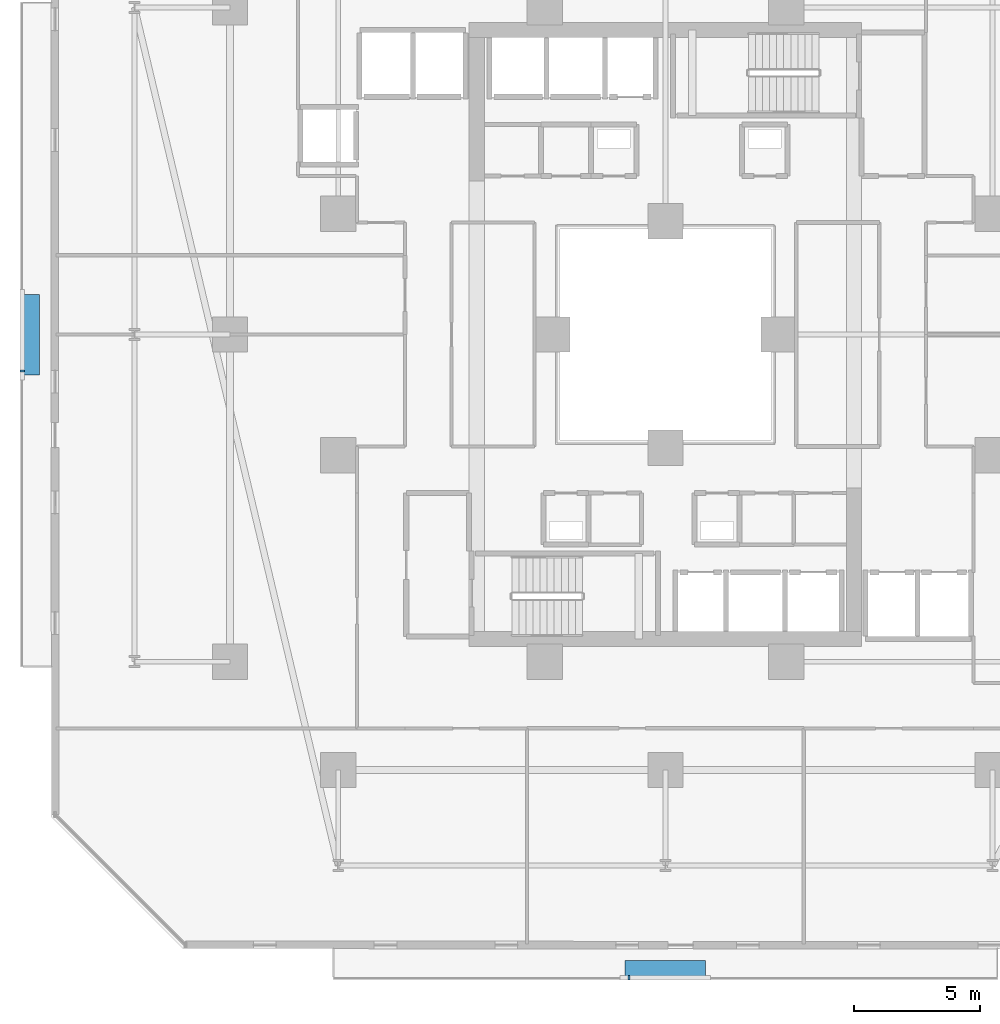
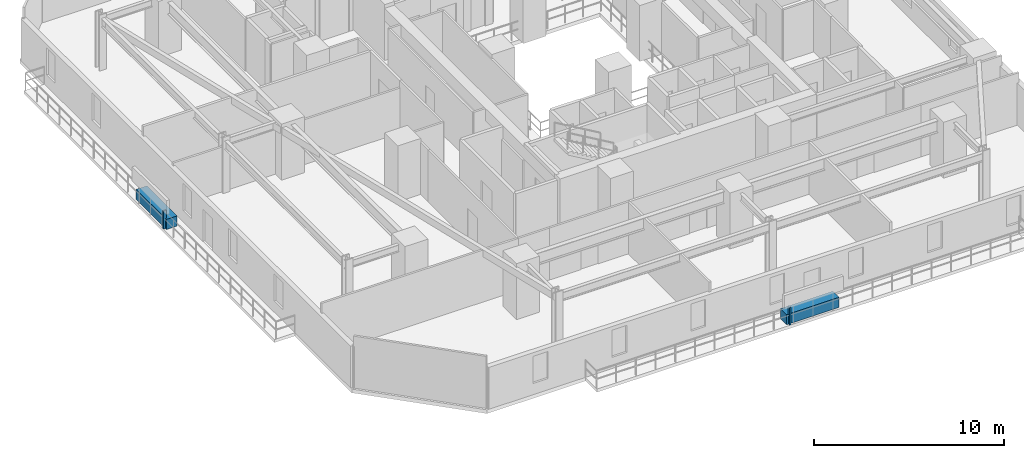
# One storey, part 27 of 33: 4 discrete accessories.
"""IFC4 building model written with IfcOpenShell, lengths in metres."""

from ifc_helpers import new_model, si_unit, direction, frame, origin, origin_2d, place, context, subcontext, project, spatial, rectangle, extrude, material, type_object, element, save


model = new_model("IFC4")

# Units and contexts
model_context = context("Model", 3, precision=1e-05, world=origin(), true_north=direction((0.0, 1.0)))
body_context = subcontext(model_context, "Body", "Model", "MODEL_VIEW")
ifc_project = project(units=[si_unit("LENGTHUNIT", "METRE"), si_unit("AREAUNIT", "SQUARE_METRE"), si_unit("VOLUMEUNIT", "CUBIC_METRE"), si_unit("PLANEANGLEUNIT", "RADIAN"), si_unit("MASSUNIT", "GRAM", prefix="KILO")], contexts=[model_context])

# Site, building, storey
site_placement = place(None, origin())
site = spatial("IfcSite", under=ifc_project, at=site_placement, CompositionType="ELEMENT")
building_placement = place(site_placement, origin())
building = spatial("IfcBuilding", under=site, at=building_placement, Name="Thornwick Lancets Civic Towers", CompositionType="ELEMENT")
storey_placement = place(building_placement, frame((0.0, 0.0, 38.699951171875)))
storey = spatial("IfcBuildingStorey", under=building, at=storey_placement, Name="L09", CompositionType="ELEMENT", Elevation=38.699951171875)

# Discrete accessories
ifc_material_1 = material(Name="Planted terracotta greenery planter", Category="masonry")
discrete_accessory_type_1 = type_object("IfcDiscreteAccessoryType", Name="ACC_PLANTER_BOX", PredefinedType="USERDEFINED", material=ifc_material_1)
discrete_accessory_1_placement = place(storey_placement, frame((25.5, 1.800048828125, 0.0), z_axis=(0.0, 0.0, 1.0), x_axis=(1.0, 0.0, 0.0)))
element("IfcDiscreteAccessory", 1, at=discrete_accessory_1_placement, inside=storey, type_object=discrete_accessory_type_1, Name="L09 Tower A Balcony Greenery Planter S", ObjectType="PLANTER", PredefinedType="USERDEFINED", context=body_context, shape_type="SweptSolid", body=[
    extrude(rectangle(XDim=3.199951171875, YDim=0.64990234375, at=origin_2d()), origin(), (0.0, 0.0, 1.0), 0.64990234375),
])
discrete_accessory_2_placement = place(storey_placement, frame((0.300048828125, 27.0, 0.0), z_axis=(0.0, 0.0, 1.0), x_axis=(1.0, 0.0, 0.0)))
element("IfcDiscreteAccessory", 2, at=discrete_accessory_2_placement, inside=storey, type_object=discrete_accessory_type_1, Name="L09 Tower A Balcony Greenery Planter W", ObjectType="PLANTER", PredefinedType="USERDEFINED", context=body_context, shape_type="SweptSolid", body=[
    extrude(rectangle(XDim=0.64990234375, YDim=3.199951171875, at=origin_2d()), origin(), (0.0, 0.0, 1.0), 0.64990234375),
])
ifc_material_2 = material(Name="Stainless steel S355", Category="steel")
discrete_accessory_type_2 = type_object("IfcDiscreteAccessoryType", Name="ACC_SCREEN_BRACKET", PredefinedType="BRACKET", material=ifc_material_2)
for number, where, z_axis, x_axis, name in (
    (3, (24.050048828125, 1.43994140625, 0.0), (0.0, 0.0, 1.0), (1.0, 0.0, 0.0), "L09 Tower A Balcony Screen Stanchion Bracket S-1"),
    (4, (-0.06005859375, 25.550048828125, 0.0), (0.0, 0.0, 1.0), (0.0, 1.0, 0.0), "L09 Tower A Balcony Screen Stanchion Bracket W-1"),
):
    element("IfcDiscreteAccessory", number, at=place(storey_placement, frame(where, z_axis=z_axis, x_axis=x_axis)), inside=storey, type_object=discrete_accessory_type_2, Name=name, PredefinedType="BRACKET", context=body_context, shape_type="SweptSolid", body=[
        extrude(rectangle(XDim=0.080078125, YDim=0.179931640625, at=origin_2d()), origin(), (0.0, 0.0, 1.0), 1.14990234375),
    ])

save(model, "model.ifc")
